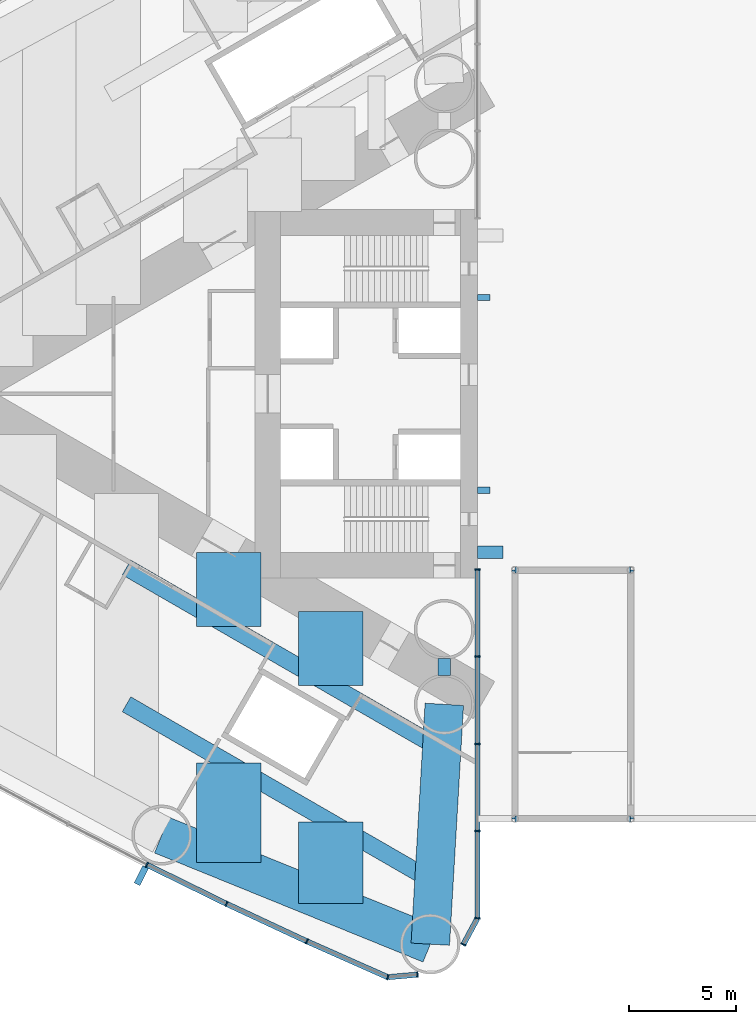
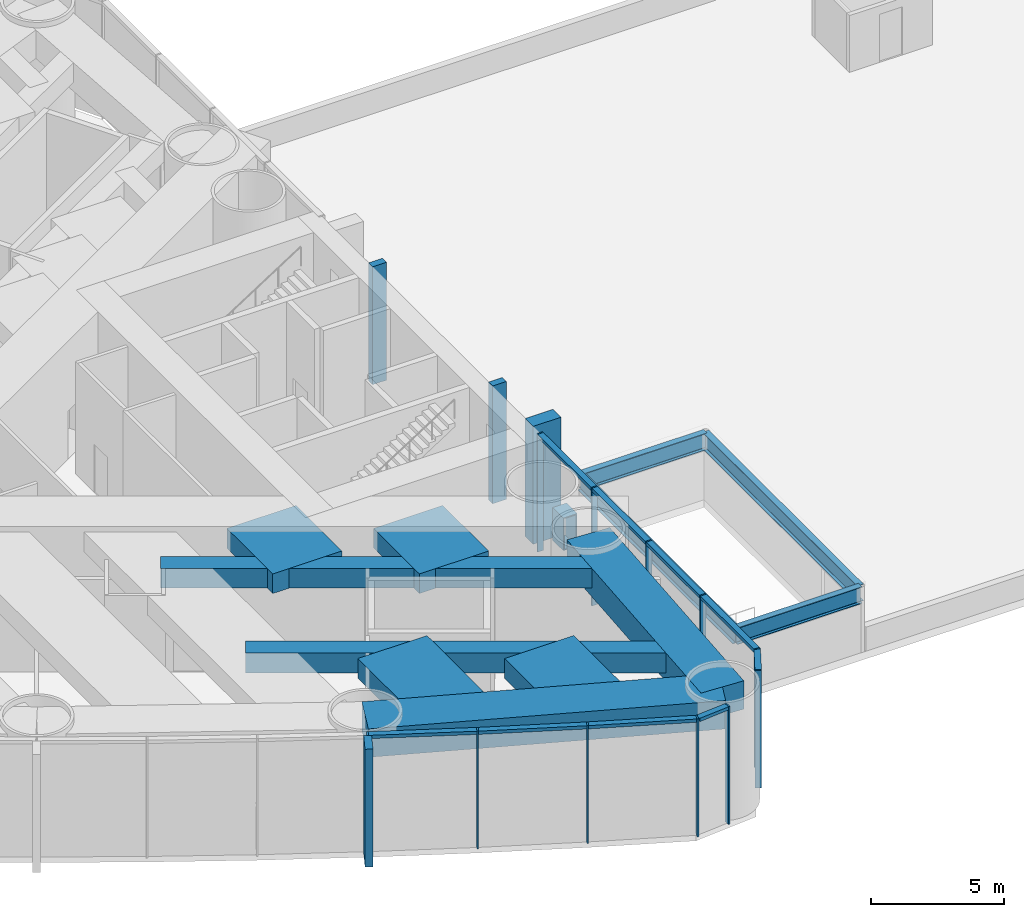
# One storey, part 7 of 23: 24 members, 13 beams, 2 elements without a shape of their own.
"""IFC4 building model written with IfcOpenShell, lengths in metres."""

from ifc_helpers import new_model, si_unit, direction, frame, origin, origin_2d, place, context, subcontext, project, spatial, rectangle, hollow_rectangle, i_section, extrude, material, material_profile, profile_set, type_object, element, aggregate, save


model = new_model("IFC4")

# Units and contexts
model_context = context("Model", 3, precision=1e-05, world=origin(), true_north=direction((0.0, 1.0)))
body_context = subcontext(model_context, "Body", "Model", "MODEL_VIEW")
ifc_project = project(units=[si_unit("LENGTHUNIT", "METRE"), si_unit("AREAUNIT", "SQUARE_METRE"), si_unit("VOLUMEUNIT", "CUBIC_METRE"), si_unit("PLANEANGLEUNIT", "RADIAN"), si_unit("MASSUNIT", "GRAM", prefix="KILO")], contexts=[model_context])

# Site, building, storey
site_placement = place(None, origin())
site = spatial("IfcSite", under=ifc_project, at=site_placement, CompositionType="ELEMENT")
building_placement = place(site_placement, origin())
building = spatial("IfcBuilding", under=site, at=building_placement, Name="Lancet Gate Hotel", CompositionType="ELEMENT")
storey_placement = place(building_placement, frame((0.0, 0.0, 12.60009765625)))
storey = spatial("IfcBuildingStorey", under=building, at=storey_placement, Name="L02", CompositionType="ELEMENT", Elevation=12.60009765625)

# Curtain wall, members
ifc_material_1 = material(Name="Aluminium curtain wall", Category="aluminium")
curtain_wall_type = type_object("IfcCurtainWallType", Name="Podium curtain wall", PredefinedType="USERDEFINED", material=ifc_material_1)
curtain_wall_1_placement = place(storey_placement, origin())
curtain_wall_1 = element("IfcCurtainWall", 1, at=curtain_wall_1_placement, inside=storey, type_object=curtain_wall_type, Name="T1 L02 curtain wall 3", ObjectType="UNITISED CURTAIN WALL", PredefinedType="USERDEFINED")
ifc_material_2 = material(Name="Aluminium mullion", Category="aluminium")
ifc_material_profile_1 = material_profile(ifc_material_2, rectangle(XDim=0.06494140625, YDim=0.25, at=origin_2d()), Name="MULLION 65x250")
ifc_profile_set_1 = profile_set([ifc_material_profile_1], Name="Aluminium mullion")
member_type_1 = type_object("IfcMemberType", Name="Aluminium mullion 65x250", PredefinedType="MULLION", material=ifc_profile_set_1)
member_1_placement = place(storey_placement, frame((-42.94189453125, -21.991943359375, 0.0), z_axis=(0.0, 0.0, 1.0), x_axis=(0.893291549794, -0.449477704748, 0.0)))
member_1 = element("IfcMember", 2, at=member_1_placement, type_object=member_type_1, Name="T1 L02 curtain wall 3 mullion 11", PredefinedType="MULLION", context=body_context, shape_type="SweptSolid", body=[
    extrude(rectangle(XDim=0.06494140625, YDim=0.25, at=origin_2d()), origin(), (0.0, 0.0, 1.0), 5.39990234375),
])
member_2_placement = place(storey_placement, frame((-39.225341796875, -23.816650390625, 0.0), z_axis=(0.0, 0.0, 1.0), x_axis=(0.901928838337, -0.431884672772, 0.0)))
member_2 = element("IfcMember", 3, at=member_2_placement, type_object=member_type_1, Name="T1 L02 curtain wall 3 mullion 12", PredefinedType="MULLION", context=body_context, shape_type="SweptSolid", body=[
    extrude(rectangle(XDim=0.06494140625, YDim=0.25, at=origin_2d()), origin(), (0.0, 0.0, 1.0), 5.39990234375),
])
member_3_placement = place(storey_placement, frame((-35.473876953125, -25.568115234375, 0.0), z_axis=(0.0, 0.0, 1.0), x_axis=(0.910219680212, -0.414125746308, 0.0)))
member_3 = element("IfcMember", 4, at=member_3_placement, type_object=member_type_1, Name="T1 L02 curtain wall 3 mullion 13", PredefinedType="MULLION", context=body_context, shape_type="SweptSolid", body=[
    extrude(rectangle(XDim=0.06494140625, YDim=0.25, at=origin_2d()), origin(), (0.0, 0.0, 1.0), 5.39990234375),
])
member_4_placement = place(storey_placement, frame((-31.688720703125, -27.24560546875, 0.0), z_axis=(0.0, 0.0, 1.0), x_axis=(0.957524354695, -0.288352406209, 0.0)))
member_4 = element("IfcMember", 5, at=member_4_placement, type_object=member_type_1, Name="T1 L02 curtain wall 3 mullion 14", PredefinedType="MULLION", context=body_context, shape_type="SweptSolid", body=[
    extrude(rectangle(XDim=0.06494140625, YDim=0.25, at=origin_2d()), origin(), (0.0, 0.0, 1.0), 5.39990234375),
])
member_5_placement = place(storey_placement, frame((-30.3046875, -27.124755859375, 0.0), z_axis=(0.0, 0.0, 1.0), x_axis=(0.99620380374, 0.087051602022, 0.0)))
member_5 = element("IfcMember", 6, at=member_5_placement, type_object=member_type_1, Name="T1 L02 curtain wall 3 mullion 15", PredefinedType="MULLION", context=body_context, shape_type="SweptSolid", body=[
    extrude(rectangle(XDim=0.06494140625, YDim=0.25, at=origin_2d()), origin(), (0.0, 0.0, 1.0), 5.39990234375),
])

curtain_wall_2_placement = place(storey_placement, origin())
curtain_wall_2 = element("IfcCurtainWall", 7, at=curtain_wall_2_placement, inside=storey, type_object=curtain_wall_type, Name="T1 L02 curtain wall 4", ObjectType="UNITISED CURTAIN WALL", PredefinedType="USERDEFINED")
member_6_placement = place(storey_placement, frame((-28.158935546875, -25.712890625, 0.0), z_axis=(0.0, 0.0, 1.0), x_axis=(0.474631040972, 0.880184852714, 0.0)))
member_6 = element("IfcMember", 8, at=member_6_placement, type_object=member_type_1, Name="T1 L02 curtain wall 4 mullion 1", PredefinedType="MULLION", context=body_context, shape_type="SweptSolid", body=[
    extrude(rectangle(XDim=0.06494140625, YDim=0.25, at=origin_2d()), origin(), (0.0, 0.0, 1.0), 5.39990234375),
])
member_7_placement = place(storey_placement, frame((-27.5, -24.4912109375, 0.0), z_axis=(0.0, 0.0, 1.0), x_axis=(0.123482502544, 0.992346749662, 0.0)))
member_7 = element("IfcMember", 9, at=member_7_placement, type_object=member_type_1, Name="T1 L02 curtain wall 4 mullion 2", PredefinedType="MULLION", context=body_context, shape_type="SweptSolid", body=[
    extrude(rectangle(XDim=0.06494140625, YDim=0.25, at=origin_2d()), origin(), (0.0, 0.0, 1.0), 5.39990234375),
])
member_8_placement = place(storey_placement, frame((-27.5, -20.41845703125, 0.0), z_axis=(0.0, 0.0, 1.0), x_axis=(0.0, 1.0, 0.0)))
member_8 = element("IfcMember", 10, at=member_8_placement, type_object=member_type_1, Name="T1 L02 curtain wall 4 mullion 3", PredefinedType="MULLION", context=body_context, shape_type="SweptSolid", body=[
    extrude(rectangle(XDim=0.06494140625, YDim=0.25, at=origin_2d()), origin(), (0.0, 0.0, 1.0), 5.39990234375),
])
member_9_placement = place(storey_placement, frame((-27.5, -16.345703125, 0.0), z_axis=(0.0, 0.0, 1.0), x_axis=(0.0, 1.0, 0.0)))
member_9 = element("IfcMember", 11, at=member_9_placement, type_object=member_type_1, Name="T1 L02 curtain wall 4 mullion 4", PredefinedType="MULLION", context=body_context, shape_type="SweptSolid", body=[
    extrude(rectangle(XDim=0.06494140625, YDim=0.25, at=origin_2d()), origin(), (0.0, 0.0, 1.0), 5.39990234375),
])
member_10_placement = place(storey_placement, frame((-27.5, -12.272705078125, 0.0), z_axis=(0.0, 0.0, 1.0), x_axis=(0.0, 1.0, 0.0)))
member_10 = element("IfcMember", 12, at=member_10_placement, type_object=member_type_1, Name="T1 L02 curtain wall 4 mullion 5", PredefinedType="MULLION", context=body_context, shape_type="SweptSolid", body=[
    extrude(rectangle(XDim=0.06494140625, YDim=0.25, at=origin_2d()), origin(), (0.0, 0.0, 1.0), 5.39990234375),
])
member_11_placement = place(storey_placement, frame((-27.5, -8.199951171875, 0.0), z_axis=(0.0, 0.0, 1.0), x_axis=(0.0, 1.0, 0.0)))
member_11 = element("IfcMember", 13, at=member_11_placement, type_object=member_type_1, Name="T1 L02 curtain wall 4 mullion 6", PredefinedType="MULLION", context=body_context, shape_type="SweptSolid", body=[
    extrude(rectangle(XDim=0.06494140625, YDim=0.25, at=origin_2d()), origin(), (0.0, 0.0, 1.0), 5.39990234375),
])

# Member
ifc_material_3 = material(Name="Aluminium transom", Category="aluminium")
ifc_material_profile_2 = material_profile(ifc_material_3, rectangle(XDim=0.25, YDim=0.14990234375, at=origin_2d()), Name="TRANSOM 250x150")
ifc_profile_set_2 = profile_set([ifc_material_profile_2], Name="Aluminium transom")
member_type_2 = type_object("IfcMemberType", Name="Aluminium transom 250x150", PredefinedType="USERDEFINED", material=ifc_profile_set_2)
member_12_placement = place(storey_placement, frame((-42.912841796875, -22.00634765625, 5.324951171875), z_axis=(0.897662439958, -0.440683723194, 0.0), x_axis=(0.440683723194, 0.897662439958, 0.0)))
member_12 = element("IfcMember", 14, at=member_12_placement, type_object=member_type_2, Name="T1 L02 curtain wall 3 transom 11", ObjectType="TRANSOM", PredefinedType="USERDEFINED", context=body_context, shape_type="SweptSolid", body=[
    extrude(rectangle(XDim=0.25, YDim=0.14990234375, at=origin_2d()), origin(), (0.0, 0.0, 1.0), 4.0751953125),
])

member_13_placement = place(storey_placement, frame((-39.196044921875, -23.830322265625, 5.324951171875), z_axis=(0.906109667261, -0.423042871228, 0.0), x_axis=(0.423042871228, 0.906109667261, 0.0)))
member_13 = element("IfcMember", 15, at=member_13_placement, type_object=member_type_2, Name="T1 L02 curtain wall 3 transom 12", ObjectType="TRANSOM", PredefinedType="USERDEFINED", context=body_context, shape_type="SweptSolid", body=[
    extrude(rectangle(XDim=0.25, YDim=0.14990234375, at=origin_2d()), origin(), (0.0, 0.0, 1.0), 4.075439453125),
])

member_14_placement = place(storey_placement, frame((-35.444091796875, -25.581298828125, 5.324951171875), z_axis=(0.914248281954, -0.405154389022, 0.0), x_axis=(0.405154389022, 0.914248281954, 0.0)))
member_14 = element("IfcMember", 16, at=member_14_placement, type_object=member_type_2, Name="T1 L02 curtain wall 3 transom 13", ObjectType="TRANSOM", PredefinedType="USERDEFINED", context=body_context, shape_type="SweptSolid", body=[
    extrude(rectangle(XDim=0.25, YDim=0.14990234375, at=origin_2d()), origin(), (0.0, 0.0, 1.0), 4.0751953125),
])

member_15_placement = place(storey_placement, frame((-31.65625, -27.242919921875, 5.324951171875), z_axis=(0.99620591587, 0.087027427779, 0.0), x_axis=(-0.087027427779, 0.99620591587, 0.0)))
member_15 = element("IfcMember", 17, at=member_15_placement, type_object=member_type_2, Name="T1 L02 curtain wall 3 transom 14", ObjectType="TRANSOM", PredefinedType="USERDEFINED", context=body_context, shape_type="SweptSolid", body=[
    extrude(rectangle(XDim=0.25, YDim=0.14990234375, at=origin_2d()), origin(), (0.0, 0.0, 1.0), 1.32421875),
])

member_16_placement = place(storey_placement, frame((-28.143310546875, -25.684326171875, 5.324951171875), z_axis=(0.474605926905, 0.880198394765, 0.0), x_axis=(-0.880198394765, 0.474605926905, 0.0)))
member_16 = element("IfcMember", 18, at=member_16_placement, type_object=member_type_2, Name="T1 L02 curtain wall 4 transom 1", ObjectType="TRANSOM", PredefinedType="USERDEFINED", context=body_context, shape_type="SweptSolid", body=[
    extrude(rectangle(XDim=0.25, YDim=0.14990234375, at=origin_2d()), origin(), (0.0, 0.0, 1.0), 1.322998046875),
])

member_17_placement = place(storey_placement, frame((-27.5, -24.458740234375, 5.324951171875), z_axis=(0.0, 1.0, 0.0), x_axis=(-1.0, 0.0, 0.0)))
member_17 = element("IfcMember", 19, at=member_17_placement, type_object=member_type_2, Name="T1 L02 curtain wall 4 transom 2", ObjectType="TRANSOM", PredefinedType="USERDEFINED", context=body_context, shape_type="SweptSolid", body=[
    extrude(rectangle(XDim=0.25, YDim=0.14990234375, at=origin_2d()), origin(), (0.0, 0.0, 1.0), 4.0078125),
])

member_18_placement = place(storey_placement, frame((-27.5, -20.385986328125, 5.324951171875), z_axis=(0.0, 1.0, 0.0), x_axis=(-1.0, 0.0, 0.0)))
member_18 = element("IfcMember", 20, at=member_18_placement, type_object=member_type_2, Name="T1 L02 curtain wall 4 transom 3", ObjectType="TRANSOM", PredefinedType="USERDEFINED", context=body_context, shape_type="SweptSolid", body=[
    extrude(rectangle(XDim=0.25, YDim=0.14990234375, at=origin_2d()), origin(), (0.0, 0.0, 1.0), 4.0078125),
])

member_19_placement = place(storey_placement, frame((-27.5, -16.31298828125, 5.324951171875), z_axis=(0.0, 1.0, 0.0), x_axis=(-1.0, 0.0, 0.0)))
member_19 = element("IfcMember", 21, at=member_19_placement, type_object=member_type_2, Name="T1 L02 curtain wall 4 transom 4", ObjectType="TRANSOM", PredefinedType="USERDEFINED", context=body_context, shape_type="SweptSolid", body=[
    extrude(rectangle(XDim=0.25, YDim=0.14990234375, at=origin_2d()), origin(), (0.0, 0.0, 1.0), 4.0078125),
])

member_20_placement = place(storey_placement, frame((-27.5, -12.240234375, 5.324951171875), z_axis=(0.0, 1.0, 0.0), x_axis=(-1.0, 0.0, 0.0)))
member_20 = element("IfcMember", 22, at=member_20_placement, type_object=member_type_2, Name="T1 L02 curtain wall 4 transom 5", ObjectType="TRANSOM", PredefinedType="USERDEFINED", context=body_context, shape_type="SweptSolid", body=[
    extrude(rectangle(XDim=0.25, YDim=0.14990234375, at=origin_2d()), origin(), (0.0, 0.0, 1.0), 4.0078125),
])

aggregate(curtain_wall_2, [member_6, member_7, member_8, member_9, member_10, member_11, member_16, member_17, member_18, member_19, member_20])

# Beams
ifc_material_4 = material(Name="Concrete C50/60", Category="concrete")
ifc_material_profile_3 = material_profile(ifc_material_4, rectangle(XDim=1.800048828125, YDim=1.300048828125, at=origin_2d()), Name="RC 1800x1300")
ifc_profile_set_3 = profile_set([ifc_material_profile_3], Name="Concrete C50/60")
beam_type_1 = type_object("IfcBeamType", Name="Edge beam RC 1800x1300", PredefinedType="SPANDREL", material=ifc_profile_set_3)
beam_1_placement = place(storey_placement, frame((-42.2451171875, -20.607421875, 4.5), z_axis=(0.926463236197, -0.376385270667, 0.0), x_axis=(0.376385270667, 0.926463236197, 0.0)))
element("IfcBeam", 23, at=beam_1_placement, inside=storey, type_object=beam_type_1, Name="T1 edge beam EB1 L02", PredefinedType="SPANDREL", context=body_context, shape_type="SweptSolid", body=[
    extrude(rectangle(XDim=1.800048828125, YDim=1.300048828125, at=origin_2d()), origin(), (0.0, 0.0, 1.0), 13.537353515625),
])
beam_2_placement = place(storey_placement, frame((-29.050048828125, -14.5, 4.5), z_axis=(-0.058219521912, -0.998303805096, 0.0), x_axis=(0.998303805096, -0.058219521912, 0.0)))
element("IfcBeam", 24, at=beam_2_placement, inside=storey, type_object=beam_type_1, Name="T1 edge beam EB1 L02", PredefinedType="SPANDREL", context=body_context, shape_type="SweptSolid", body=[
    extrude(rectangle(XDim=1.800048828125, YDim=1.300048828125, at=origin_2d()), origin(), (0.0, 0.0, 1.0), 11.2216796875),
])

# Member
ifc_material_5 = material(Name="Concrete C60/75", Category="concrete")
ifc_material_profile_4 = material_profile(ifc_material_5, rectangle(XDim=0.60009765625, YDim=1.199951171875, at=origin_2d()), Name="FIN 600x1200")
ifc_profile_set_4 = profile_set([ifc_material_profile_4], Name="Concrete C60/75")
member_type_3 = type_object("IfcMemberType", Name="Exposed concrete buttress pilaster 600x1200", PredefinedType="USERDEFINED", material=ifc_profile_set_4)
member_21_placement = place(storey_placement, frame((-26.909912109375, -7.39990234375, 0.0), z_axis=(0.0, 0.0, 1.0), x_axis=(0.0, 1.0, 0.0)))
element("IfcMember", 25, at=member_21_placement, inside=storey, type_object=member_type_3, Name="T1 buttress pilaster N L02", ObjectType="FIN", PredefinedType="USERDEFINED", context=body_context, shape_type="SweptSolid", body=[
    extrude(rectangle(XDim=0.60009765625, YDim=1.199951171875, at=origin_2d()), origin(), (0.0, 0.0, 1.0), 5.39990234375),
])

ifc_material_6 = material(Name="Precast concrete C50/60", Category="concrete")
ifc_material_profile_5 = material_profile(ifc_material_6, rectangle(XDim=0.300048828125, YDim=0.89990234375, at=origin_2d()), Name="FIN 300x900")
ifc_profile_set_5 = profile_set([ifc_material_profile_5], Name="Precast concrete C50/60")
member_type_4 = type_object("IfcMemberType", Name="Exposed concrete fin 300x900", PredefinedType="USERDEFINED", material=ifc_profile_set_5)
member_22_placement = place(storey_placement, frame((-43.200439453125, -22.505615234375, 0.0), z_axis=(0.0, 0.0, 1.0), x_axis=(0.893291549794, -0.449477704748, 0.0)))
member_22 = element("IfcMember", 26, at=member_22_placement, type_object=member_type_4, Name="T1 L02 curtain wall 3 fin 11", ObjectType="FIN", PredefinedType="USERDEFINED", context=body_context, shape_type="SweptSolid", body=[
    extrude(rectangle(XDim=0.300048828125, YDim=0.89990234375, at=origin_2d()), origin(), (0.0, 0.0, 1.0), 5.39990234375),
])

aggregate(curtain_wall_1, [member_1, member_22, member_2, member_3, member_4, member_5, member_12, member_13, member_14, member_15])

# Members
ifc_material_7 = material(Name="Concrete C60/75", Category="concrete")
ifc_material_profile_6 = material_profile(ifc_material_7, rectangle(XDim=0.300048828125, YDim=0.60009765625, at=origin_2d()), Name="FIN 300x600")
ifc_profile_set_6 = profile_set([ifc_material_profile_6], Name="Concrete C60/75")
member_type_5 = type_object("IfcMemberType", Name="Exposed concrete rib 300x600", PredefinedType="USERDEFINED", material=ifc_profile_set_6)
for number, where, z_axis, x_axis, name in (
    (27, (-27.2099609375, 4.5, 0.0), (0.0, 0.0, 1.0), (0.0, 1.0, 0.0), "T1 core rib 1 L02"),
    (28, (-27.2099609375, -4.5, 0.0), (0.0, 0.0, 1.0), (0.0, 1.0, 0.0), "T1 core rib 3 L02"),
):
    element("IfcMember", number, at=place(storey_placement, frame(where, z_axis=z_axis, x_axis=x_axis)), inside=storey, type_object=member_type_5, Name=name, ObjectType="FIN", PredefinedType="USERDEFINED", context=body_context, shape_type="SweptSolid", body=[
        extrude(rectangle(XDim=0.300048828125, YDim=0.60009765625, at=origin_2d()), origin(), (0.0, 0.0, 1.0), 5.39990234375),
    ])

# Beams
ifc_material_8 = material(Name="Concrete C50/60", Category="concrete")
ifc_material_profile_7 = material_profile(ifc_material_8, rectangle(XDim=3.0, YDim=0.89990234375, at=origin_2d()), Name="RC 3000x900")
ifc_profile_set_7 = profile_set([ifc_material_profile_7], Name="Concrete C50/60")
beam_type_2 = type_object("IfcBeamType", Name="Floor beam RC 3000x900", PredefinedType="BEAM", material=ifc_profile_set_7)
beam_3_placement = place(storey_placement, frame((-34.353515625, -10.169921875, 4.699951171875), z_axis=(0.0, -1.0, 0.0), x_axis=(1.0, 0.0, 0.0)))
element("IfcBeam", 29, at=beam_3_placement, inside=storey, type_object=beam_type_2, Name="T1 floor beam F03NA L02", PredefinedType="BEAM", context=body_context, shape_type="SweptSolid", body=[
    extrude(rectangle(XDim=3.0, YDim=0.89990234375, at=origin_2d()), origin(), (0.0, 0.0, 1.0), 3.44580078125),
])
beam_4_placement = place(storey_placement, frame((-34.353515625, -20.0029296875, 4.699951171875), z_axis=(0.0, -1.0, 0.0), x_axis=(1.0, 0.0, 0.0)))
element("IfcBeam", 30, at=beam_4_placement, inside=storey, type_object=beam_type_2, Name="T1 floor beam F03NB L02", PredefinedType="BEAM", context=body_context, shape_type="SweptSolid", body=[
    extrude(rectangle(XDim=3.0, YDim=0.89990234375, at=origin_2d()), origin(), (0.0, 0.0, 1.0), 3.810546875),
])
beam_5_placement = place(storey_placement, frame((-39.122314453125, -7.41650390625, 4.699951171875), z_axis=(0.0, -1.0, 0.0), x_axis=(1.0, 0.0, 0.0)))
element("IfcBeam", 31, at=beam_5_placement, inside=storey, type_object=beam_type_2, Name="T1 floor beam F06NA L02", PredefinedType="BEAM", context=body_context, shape_type="SweptSolid", body=[
    extrude(rectangle(XDim=3.0, YDim=0.89990234375, at=origin_2d()), origin(), (0.0, 0.0, 1.0), 3.446044921875),
])
beam_6_placement = place(storey_placement, frame((-39.122314453125, -17.249755859375, 4.699951171875), z_axis=(0.0, -1.0, 0.0), x_axis=(1.0, 0.0, 0.0)))
element("IfcBeam", 32, at=beam_6_placement, inside=storey, type_object=beam_type_2, Name="T1 floor beam F06NB L02", PredefinedType="BEAM", context=body_context, shape_type="SweptSolid", body=[
    extrude(rectangle(XDim=3.0, YDim=0.89990234375, at=origin_2d()), origin(), (0.0, 0.0, 1.0), 4.62646484375),
])
ifc_material_9 = material(Name="Steel S460QL", Category="steel")
ifc_material_profile_8 = material_profile(ifc_material_9, hollow_rectangle(XDim=0.60009765625, YDim=1.5, WallThickness=0.050048828125, at=origin_2d()), Name="BOX 1500x600x50")
ifc_profile_set_8 = profile_set([ifc_material_profile_8], Name="Steel S460QL")
beam_type_3 = type_object("IfcBeamType", Name="Inner-face link beam BOX 1500x600x50", PredefinedType="BEAM", material=ifc_profile_set_8)
beam_7_placement = place(storey_placement, frame((-29.050048828125, -12.35009765625, 4.39990234375), z_axis=(0.0, -1.0, 0.0), x_axis=(1.0, 0.0, 0.0)))
element("IfcBeam", 33, at=beam_7_placement, inside=storey, type_object=beam_type_3, Name="T1 inner-face link beam LK1 L02", PredefinedType="BEAM", context=body_context, shape_type="SweptSolid", body=[
    extrude(hollow_rectangle(XDim=0.60009765625, YDim=1.5, WallThickness=0.050048828125, at=origin_2d()), origin(), (0.0, 0.0, 1.0), 0.7998046875),
])
ifc_material_10 = material(Name="Steel S355", Category="steel")
ifc_material_profile_9 = material_profile(ifc_material_10, i_section(OverallWidth=0.26806640625, OverallDepth=0.769775390625, WebThickness=0.015625, FlangeThickness=0.025390625, FilletRadius=0.0166015625, at=origin_2d()), Name="UKB 762x267x197")
ifc_profile_set_9 = profile_set([ifc_material_profile_9], Name="Steel S355")
beam_type_4 = type_object("IfcBeamType", Name="Podium head-house beam UKB 762x267x197", PredefinedType="BEAM", material=ifc_profile_set_9)
for number, where, z_axis, x_axis, name in (
    (34, (-25.75, -8.22998046875, 2.614990234375), (1.0, 0.0, 0.0), (0.0, 1.0, 0.0), "Podium stair PS6 head-house beam IN"),
    (35, (-25.75, -19.85009765625, 2.614990234375), (1.0, 0.0, 0.0), (0.0, 1.0, 0.0), "Podium stair PS6 head-house beam OUT"),
):
    element("IfcBeam", number, at=place(storey_placement, frame(where, z_axis=z_axis, x_axis=x_axis)), inside=storey, type_object=beam_type_4, Name=name, PredefinedType="BEAM", context=body_context, shape_type="SweptSolid", body=[
        extrude(i_section(OverallWidth=0.26806640625, OverallDepth=0.769775390625, WebThickness=0.015625, FlangeThickness=0.025390625, FilletRadius=0.0166015625, at=origin_2d()), origin(), (0.0, 0.0, 1.0), 5.39990234375),
    ])
for number, where, z_axis, x_axis, name in (
    (36, (-25.75, -8.22998046875, 2.614990234375), (0.0, -1.0, 0.0), (1.0, 0.0, 0.0), "Podium stair PS6 head-house beam W"),
    (37, (-20.35009765625, -8.22998046875, 2.614990234375), (0.0, -1.0, 0.0), (1.0, 0.0, 0.0), "Podium stair PS6 head-house beam E"),
):
    element("IfcBeam", number, at=place(storey_placement, frame(where, z_axis=z_axis, x_axis=x_axis)), inside=storey, type_object=beam_type_4, Name=name, PredefinedType="BEAM", context=body_context, shape_type="SweptSolid", body=[
        extrude(i_section(OverallWidth=0.26806640625, OverallDepth=0.769775390625, WebThickness=0.015625, FlangeThickness=0.025390625, FilletRadius=0.0166015625, at=origin_2d()), origin(), (0.0, 0.0, 1.0), 11.6201171875),
    ])
ifc_material_11 = material(Name="Steel S460QL", Category="steel")
ifc_material_profile_10 = material_profile(ifc_material_11, hollow_rectangle(XDim=0.800048828125, YDim=0.89990234375, WallThickness=0.080078125, at=origin_2d()), Name="BOX 900x800x80")
ifc_profile_set_10 = profile_set([ifc_material_profile_10], Name="Steel S460QL")
beam_type_5 = type_object("IfcBeamType", Name="Trimmer beam BOX 900x800x80", PredefinedType="BEAM", material=ifc_profile_set_10)
for number, where, z_axis, x_axis, name in (
    (38, (-29.58447265625, -22.756103515625, 4.699951171875), (-0.866040141834, 0.49997447208, 0.0), (-0.49997447208, -0.866040141834, 0.0), "T1 trimmer beam TR03N L02"),
    (39, (-29.58447265625, -16.368896484375, 4.699951171875), (-0.866040141834, 0.49997447208, 0.0), (-0.49997447208, -0.866040141834, 0.0), "T1 trimmer beam TR04N L02"),
):
    element("IfcBeam", number, at=place(storey_placement, frame(where, z_axis=z_axis, x_axis=x_axis)), inside=storey, type_object=beam_type_5, Name=name, PredefinedType="BEAM", context=body_context, shape_type="SweptSolid", body=[
        extrude(hollow_rectangle(XDim=0.800048828125, YDim=0.89990234375, WallThickness=0.080078125, at=origin_2d()), origin(), (0.0, 0.0, 1.0), 16.519775390625),
    ])

save(model, "model.ifc")
